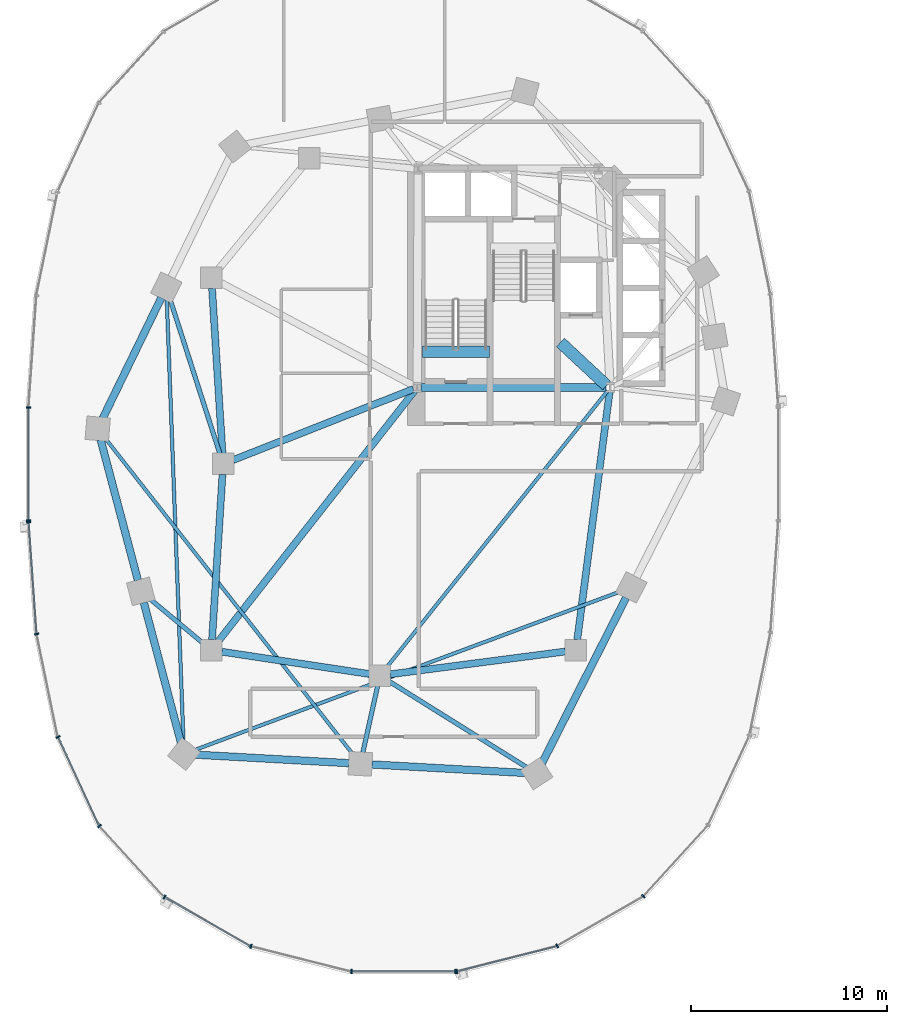
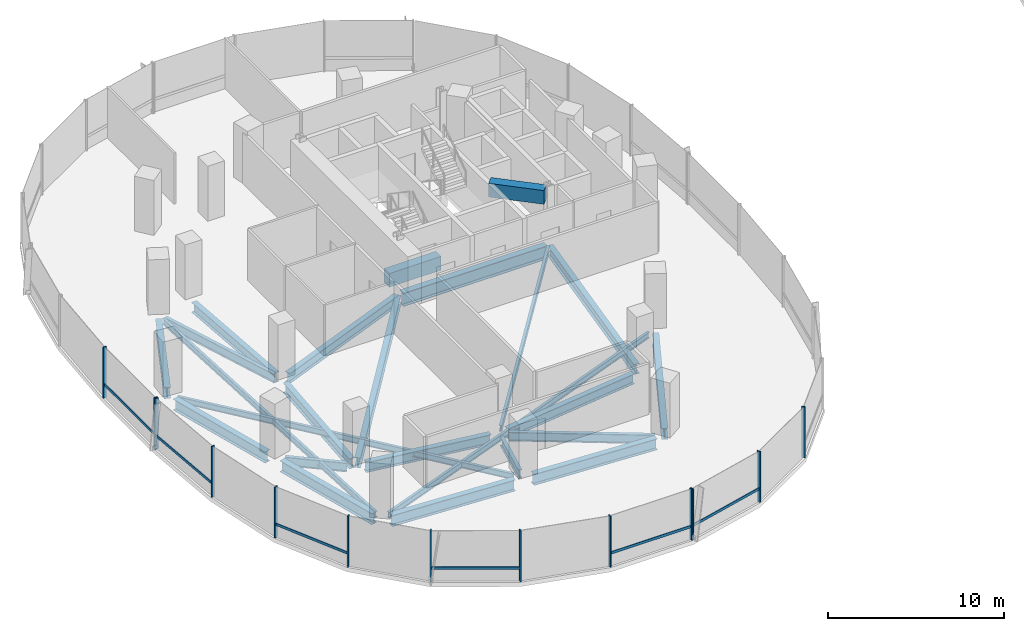
# One storey, part 2 of 21: 24 beams, 19 members, 3 elements without a shape of their own.
"""IFC4 building model written with IfcOpenShell, lengths in metres."""

from ifc_helpers import new_model, si_unit, direction, frame, origin, origin_2d, place, context, subcontext, project, spatial, rectangle, i_section, extrude, material, material_profile, profile_set, type_object, element, aggregate, save


model = new_model("IFC4")

# Units and contexts
model_context = context("Model", 3, precision=1e-05, world=origin(), true_north=direction((0.0, 1.0)))
body_context = subcontext(model_context, "Body", "Model", "MODEL_VIEW")
ifc_project = project(units=[si_unit("LENGTHUNIT", "METRE"), si_unit("AREAUNIT", "SQUARE_METRE"), si_unit("VOLUMEUNIT", "CUBIC_METRE"), si_unit("PLANEANGLEUNIT", "RADIAN"), si_unit("MASSUNIT", "GRAM", prefix="KILO"), si_unit("THERMODYNAMICTEMPERATUREUNIT", "KELVIN"), si_unit("POWERUNIT", "WATT")], contexts=[model_context])

# Site, building, storey
site_placement = place(None, origin())
site = spatial("IfcSite", under=ifc_project, at=site_placement, CompositionType="ELEMENT")
building_placement = place(site_placement, origin())
building = spatial("IfcBuilding", under=site, at=building_placement, Name="Cundina Bronze Exchange", CompositionType="ELEMENT")
storey_placement = place(building_placement, frame((0.0, 0.0, 73.39990234375)))
storey = spatial("IfcBuildingStorey", under=building, at=storey_placement, Name="L18", CompositionType="ELEMENT", Elevation=73.39990234375)

# Beams
ifc_material_1 = material(Name="Concrete C60/75", Category="concrete")
ifc_material_profile_1 = material_profile(ifc_material_1, rectangle(XDim=0.60009765625, YDim=0.949951171875, at=origin_2d()), Name="RC600X950", Category="concrete")
ifc_profile_set_1 = profile_set([ifc_material_profile_1], Name="Concrete C60/75")
beam_type_1 = type_object("IfcBeamType", Name="BM-COUP-RC950", PredefinedType="LINTEL", material=ifc_profile_set_1)
beam_1_placement = place(storey_placement, frame((-31.02001953125, 5.719970703125, -0.474853515625), z_axis=(1.0, 0.0, 0.0), x_axis=(0.0, 1.0, 0.0)))
element("IfcBeam", 1, at=beam_1_placement, inside=storey, type_object=beam_type_1, Name="L18 Stair W1 Landing Header Beam", PredefinedType="LINTEL", context=body_context, shape_type="SweptSolid", body=[
    extrude(rectangle(XDim=0.60009765625, YDim=0.949951171875, at=origin_2d()), origin(), (0.0, 0.0, 1.0), 3.39990234375),
])
beam_2_placement = place(storey_placement, frame((-23.989990234375, 6.199951171875, 3.045166015625), z_axis=(0.731490439815, -0.681851696822, 0.0), x_axis=(0.681851696822, 0.731490439815, 0.0)))
element("IfcBeam", 2, at=beam_2_placement, inside=storey, type_object=beam_type_1, Name="L18 W Core Shear Coupling Lintel Beam", PredefinedType="LINTEL", context=body_context, shape_type="SweptSolid", body=[
    extrude(rectangle(XDim=0.60009765625, YDim=0.949951171875, at=origin_2d()), origin(), (0.0, 0.0, 1.0), 3.226318359375),
])
ifc_material_2 = material(Name="Steel ASTM A992 Grade 50", Category="steel")
ifc_material_profile_2 = material_profile(ifc_material_2, i_section(OverallWidth=0.22998046875, OverallDepth=0.616943359375, WebThickness=0.01318359375, FlangeThickness=0.022216796875, FilletRadius=0.013916015625, at=origin_2d()), Name="W24X94", Category="steel")
ifc_profile_set_2 = profile_set([ifc_material_profile_2], Name="Steel ASTM A992 Grade 50")
beam_type_2 = type_object("IfcBeamType", Name="BM-FLR-W24B", PredefinedType="BEAM", material=ifc_profile_set_2)
beam_3_placement = place(storey_placement, frame((-41.364990234375, 0.51220703125, -0.6083984375), z_axis=(-0.306706454167, 0.951804155787, 0.0), x_axis=(-0.951804155787, -0.306706454167, 0.0)))
element("IfcBeam", 3, at=beam_3_placement, inside=storey, type_object=beam_type_2, Name="L18 Leg W Radial Floor Beam 07", PredefinedType="BEAM", context=body_context, shape_type="SweptSolid", body=[
    extrude(i_section(OverallWidth=0.22998046875, OverallDepth=0.616943359375, WebThickness=0.01318359375, FlangeThickness=0.022216796875, FilletRadius=0.013916015625, at=origin_2d()), origin(), (0.0, 0.0, 1.0), 8.329345703125),
])
beam_4_placement = place(storey_placement, frame((-42.21337890625, -9.155517578125, -0.6083984375), z_axis=(-0.768221279597, 0.640184399664, 0.0), x_axis=(-0.640184399664, -0.768221279597, 0.0)))
element("IfcBeam", 4, at=beam_4_placement, inside=storey, type_object=beam_type_2, Name="L18 Leg W Radial Floor Beam 09", PredefinedType="BEAM", context=body_context, shape_type="SweptSolid", body=[
    extrude(i_section(OverallWidth=0.22998046875, OverallDepth=0.616943359375, WebThickness=0.01318359375, FlangeThickness=0.022216796875, FilletRadius=0.013916015625, at=origin_2d()), origin(), (0.0, 0.0, 1.0), 3.56005859375),
])
beam_5_placement = place(storey_placement, frame((-33.316650390625, -11.3251953125, -0.6083984375), z_axis=(-0.216960137628, -0.976180464197, 0.0), x_axis=(0.976180464197, -0.216960137628, 0.0)))
element("IfcBeam", 5, at=beam_5_placement, inside=storey, type_object=beam_type_2, Name="L18 Leg W Radial Floor Beam 11", PredefinedType="BEAM", context=body_context, shape_type="SweptSolid", body=[
    extrude(i_section(OverallWidth=0.22998046875, OverallDepth=0.616943359375, WebThickness=0.01318359375, FlangeThickness=0.022216796875, FilletRadius=0.013916015625, at=origin_2d()), origin(), (0.0, 0.0, 1.0), 3.48388671875),
])
beam_6_placement = place(storey_placement, frame((-32.743896484375, -11.085205078125, -0.6083984375), z_axis=(0.848014812458, -0.529972525563, 0.0), x_axis=(0.529972525563, 0.848014812458, 0.0)))
element("IfcBeam", 6, at=beam_6_placement, inside=storey, type_object=beam_type_2, Name="L18 Leg W Radial Floor Beam 12", PredefinedType="BEAM", context=body_context, shape_type="SweptSolid", body=[
    extrude(i_section(OverallWidth=0.22998046875, OverallDepth=0.616943359375, WebThickness=0.01318359375, FlangeThickness=0.022216796875, FilletRadius=0.013916015625, at=origin_2d()), origin(), (0.0, 0.0, 1.0), 8.30810546875),
])
ifc_material_profile_3 = material_profile(ifc_material_2, i_section(OverallWidth=0.178955078125, OverallDepth=0.409912109375, WebThickness=0.0087890625, FlangeThickness=0.014404296875, FilletRadius=0.010986328125, at=origin_2d()), Name="W16X45", Category="steel")
ifc_profile_set_3 = profile_set([ifc_material_profile_3], Name="Steel ASTM A992 Grade 50")
beam_type_3 = type_object("IfcBeamType", Name="BM-JST-W16", PredefinedType="JOIST", material=ifc_profile_set_3)
beam_7_placement = place(storey_placement, frame((-21.577392578125, 3.740478515625, -0.5048828125), z_axis=(-0.62436887964, -0.781129632095, 0.0), x_axis=(0.781129632095, -0.62436887964, 0.0)))
element("IfcBeam", 7, at=beam_7_placement, inside=storey, type_object=beam_type_3, Name="L18 W Interior Core-to-Ring Joist 2", PredefinedType="JOIST", context=body_context, shape_type="SweptSolid", body=[
    extrude(i_section(OverallWidth=0.178955078125, OverallDepth=0.409912109375, WebThickness=0.0087890625, FlangeThickness=0.014404296875, FilletRadius=0.010986328125, at=origin_2d()), origin(), (0.0, 0.0, 1.0), 18.076904296875),
])
beam_8_placement = place(storey_placement, frame((-44.077880859375, 8.412353515625, -0.5048828125), z_axis=(0.037794949147, -0.999285515666, 0.0), x_axis=(0.999285515666, 0.037794949147, 0.0)))
element("IfcBeam", 8, at=beam_8_placement, inside=storey, type_object=beam_type_3, Name="L18 Leg W Lobe Floor Joist 07-10", PredefinedType="JOIST", context=body_context, shape_type="SweptSolid", body=[
    extrude(i_section(OverallWidth=0.178955078125, OverallDepth=0.409912109375, WebThickness=0.0087890625, FlangeThickness=0.014404296875, FilletRadius=0.010986328125, at=origin_2d()), origin(), (0.0, 0.0, 1.0), 22.640869140625),
])
beam_9_placement = place(storey_placement, frame((-47.2373046875, 1.337158203125, -0.5048828125), z_axis=(0.616803089524, -0.787117493614, 0.0), x_axis=(0.787117493614, 0.616803089524, 0.0)))
element("IfcBeam", 9, at=beam_9_placement, inside=storey, type_object=beam_type_3, Name="L18 Leg W Lobe Floor Joist 08-11", PredefinedType="JOIST", context=body_context, shape_type="SweptSolid", body=[
    extrude(i_section(OverallWidth=0.178955078125, OverallDepth=0.409912109375, WebThickness=0.0087890625, FlangeThickness=0.014404296875, FilletRadius=0.010986328125, at=origin_2d()), origin(), (0.0, 0.0, 1.0), 20.548828125),
])
beam_10_placement = place(storey_placement, frame((-42.64892578125, -14.5947265625, -0.5048828125), z_axis=(0.937127912449, 0.348986068074, 0.0), x_axis=(-0.348986068074, 0.937127912449, 0.0)))
element("IfcBeam", 10, at=beam_10_placement, inside=storey, type_object=beam_type_3, Name="L18 Leg W Lobe Floor Joist 10-13", PredefinedType="JOIST", context=body_context, shape_type="SweptSolid", body=[
    extrude(i_section(OverallWidth=0.178955078125, OverallDepth=0.409912109375, WebThickness=0.0087890625, FlangeThickness=0.014404296875, FilletRadius=0.010986328125, at=origin_2d()), origin(), (0.0, 0.0, 1.0), 23.18017578125),
])
ifc_material_profile_4 = material_profile(ifc_material_2, i_section(OverallWidth=0.35498046875, OverallDepth=0.695068359375, WebThickness=0.015380859375, FlangeThickness=0.02490234375, FilletRadius=0.01806640625, at=origin_2d()), Name="W27X146", Category="steel")
ifc_profile_set_4 = profile_set([ifc_material_profile_4], Name="Steel ASTM A992 Grade 50")
beam_type_4 = type_object("IfcBeamType", Name="BM-RING-W27", PredefinedType="USERDEFINED", material=ifc_profile_set_4)
for number, where, z_axis, x_axis, name in (
    (11, (-41.76611328125, 8.963134765625, -0.6474609375), (0.06303715519, -0.998011180832, 0.0), (0.998011180832, 0.06303715519, 0.0), "L18 W Inner Structural Ring Girder 03"),
    (12, (-41.23388671875, -0.536865234375, -0.6474609375), (-0.06303715519, -0.998011180832, 0.0), (0.998011180832, -0.06303715519, 0.0), "L18 W Inner Structural Ring Girder 04"),
):
    element("IfcBeam", number, at=place(storey_placement, frame(where, z_axis=z_axis, x_axis=x_axis)), inside=storey, type_object=beam_type_4, Name=name, ObjectType="GIRDER", PredefinedType="USERDEFINED", context=body_context, shape_type="SweptSolid", body=[
        extrude(i_section(OverallWidth=0.35498046875, OverallDepth=0.695068359375, WebThickness=0.015380859375, FlangeThickness=0.02490234375, FilletRadius=0.01806640625, at=origin_2d()), origin(), (0.0, 0.0, 1.0), 8.443115234375),
    ])
beam_11_placement = place(storey_placement, frame((-41.26806640625, -9.580322265625, -0.6474609375), z_axis=(0.988767489563, -0.149461873341, 0.0), x_axis=(0.149461873341, 0.988767489563, 0.0)))
element("IfcBeam", 13, at=beam_11_placement, inside=storey, type_object=beam_type_4, Name="L18 W Inner Structural Ring Girder 05", ObjectType="GIRDER", PredefinedType="USERDEFINED", context=body_context, shape_type="SweptSolid", body=[
    extrude(i_section(OverallWidth=0.35498046875, OverallDepth=0.695068359375, WebThickness=0.015380859375, FlangeThickness=0.02490234375, FilletRadius=0.01806640625, at=origin_2d()), origin(), (0.0, 0.0, 1.0), 7.621826171875),
])
beam_12_placement = place(storey_placement, frame((-32.66650390625, -10.730712890625, -0.6474609375), z_axis=(0.991654577907, 0.128923225666, 0.0), x_axis=(-0.128923225666, 0.991654577907, 0.0)))
element("IfcBeam", 14, at=beam_12_placement, inside=storey, type_object=beam_type_4, Name="L18 W Inner Structural Ring Girder 06", ObjectType="GIRDER", PredefinedType="USERDEFINED", context=body_context, shape_type="SweptSolid", body=[
    extrude(i_section(OverallWidth=0.35498046875, OverallDepth=0.695068359375, WebThickness=0.015380859375, FlangeThickness=0.02490234375, FilletRadius=0.01806640625, at=origin_2d()), origin(), (0.0, 0.0, 1.0), 9.00830078125),
])
beam_13_placement = place(storey_placement, frame((-23.13037109375, -8.966552734375, -0.6474609375), z_axis=(0.129507526533, 0.99157843894, 0.0), x_axis=(-0.99157843894, 0.129507526533, 0.0)))
element("IfcBeam", 15, at=beam_13_placement, inside=storey, type_object=beam_type_4, Name="L18 W Inner Structural Ring Girder 07", ObjectType="GIRDER", PredefinedType="USERDEFINED", context=body_context, shape_type="SweptSolid", body=[
    extrude(i_section(OverallWidth=0.35498046875, OverallDepth=0.695068359375, WebThickness=0.015380859375, FlangeThickness=0.02490234375, FilletRadius=0.01806640625, at=origin_2d()), origin(), (0.0, 0.0, 1.0), 12.77197265625),
])
beam_14_placement = place(storey_placement, frame((-31.48974609375, 3.8251953125, -0.6474609375), z_axis=(-0.930413235418, -0.366512225388, 0.0), x_axis=(0.366512225388, -0.930413235418, 0.0)))
element("IfcBeam", 16, at=beam_14_placement, inside=storey, type_object=beam_type_4, Name="L18 W Core-to-Waist Tie Beam 1", ObjectType="GIRDER", PredefinedType="USERDEFINED", context=body_context, shape_type="SweptSolid", body=[
    extrude(i_section(OverallWidth=0.35498046875, OverallDepth=0.695068359375, WebThickness=0.015380859375, FlangeThickness=0.02490234375, FilletRadius=0.01806640625, at=origin_2d()), origin(), (0.0, 0.0, 1.0), 9.8984375),
])
beam_15_placement = place(storey_placement, frame((-31.42578125, 3.739501953125, -0.6474609375), z_axis=(-0.616789275748, -0.787128318206, 0.0), x_axis=(0.787128318206, -0.616789275748, 0.0)))
element("IfcBeam", 17, at=beam_15_placement, inside=storey, type_object=beam_type_4, Name="L18 W Core-to-Waist Tie Beam 3", ObjectType="GIRDER", PredefinedType="USERDEFINED", context=body_context, shape_type="SweptSolid", body=[
    extrude(i_section(OverallWidth=0.35498046875, OverallDepth=0.695068359375, WebThickness=0.015380859375, FlangeThickness=0.02490234375, FilletRadius=0.01806640625, at=origin_2d()), origin(), (0.0, 0.0, 1.0), 16.281982421875),
])
ifc_material_profile_5 = material_profile(ifc_material_2, i_section(OverallWidth=0.381103515625, OverallDepth=0.77294921875, WebThickness=0.0166015625, FlangeThickness=0.027099609375, FilletRadius=0.01904296875, at=origin_2d()), Name="W30X173", Category="steel")
ifc_profile_set_5 = profile_set([ifc_material_profile_5], Name="Steel ASTM A992 Grade 50")
beam_type_5 = type_object("IfcBeamType", Name="BM-RING-W30", PredefinedType="USERDEFINED", material=ifc_profile_set_5)
beam_16_placement = place(storey_placement, frame((-44.357177734375, 8.47119140625, -0.6865234375), z_axis=(-0.437190698904, -0.899368830231, 0.0), x_axis=(0.899368830231, -0.437190698904, 0.0)))
element("IfcBeam", 18, at=beam_16_placement, inside=storey, type_object=beam_type_5, Name="L18 W Perimeter Ring Girder 07", ObjectType="GIRDER", PredefinedType="USERDEFINED", context=body_context, shape_type="SweptSolid", body=[
    extrude(i_section(OverallWidth=0.381103515625, OverallDepth=0.77294921875, WebThickness=0.0166015625, FlangeThickness=0.027099609375, FilletRadius=0.01904296875, at=origin_2d()), origin(), (0.0, 0.0, 1.0), 6.82958984375),
])
for number, where, z_axis, x_axis, name in (
    (19, (-47.44921875, 1.231689453125, -0.6865234375), (0.256177785604, -0.966629682021, 0.0), (0.966629682021, 0.256177785604, 0.0), "L18 W Perimeter Ring Girder 08"),
    (20, (-45.249267578125, -7.068359375, -0.6865234375), (0.256208567826, -0.966621523541, 0.0), (0.966621523541, 0.256208567826, 0.0), "L18 W Perimeter Ring Girder 09"),
):
    element("IfcBeam", number, at=place(storey_placement, frame(where, z_axis=z_axis, x_axis=x_axis)), inside=storey, type_object=beam_type_5, Name=name, ObjectType="GIRDER", PredefinedType="USERDEFINED", context=body_context, shape_type="SweptSolid", body=[
        extrude(i_section(OverallWidth=0.381103515625, OverallDepth=0.77294921875, WebThickness=0.0166015625, FlangeThickness=0.027099609375, FilletRadius=0.01904296875, at=origin_2d()), origin(), (0.0, 0.0, 1.0), 7.41064453125),
    ])
for number, where, z_axis, x_axis, name in (
    (21, (-42.61279296875, -14.83251953125, -0.6865234375), (0.998459969805, -0.055476920391, 0.0), (0.055476920391, 0.998459969805, 0.0), "L18 W Perimeter Ring Girder 10"),
    (22, (-33.61279296875, -15.33251953125, -0.6865234375), (0.998459969805, -0.055476920391, 0.0), (0.055476920391, 0.998459969805, 0.0), "L18 W Perimeter Ring Girder 11"),
):
    element("IfcBeam", number, at=place(storey_placement, frame(where, z_axis=z_axis, x_axis=x_axis)), inside=storey, type_object=beam_type_5, Name=name, ObjectType="GIRDER", PredefinedType="USERDEFINED", context=body_context, shape_type="SweptSolid", body=[
        extrude(i_section(OverallWidth=0.381103515625, OverallDepth=0.77294921875, WebThickness=0.0166015625, FlangeThickness=0.027099609375, FilletRadius=0.01904296875, at=origin_2d()), origin(), (0.0, 0.0, 1.0), 7.837646484375),
    ])
beam_17_placement = place(storey_placement, frame((-24.93359375, -15.275634765625, -0.6865234375), z_axis=(0.452819633606, 0.891602141889, 0.0), x_axis=(-0.891602141889, 0.452819633606, 0.0)))
element("IfcBeam", 23, at=beam_17_placement, inside=storey, type_object=beam_type_5, Name="L18 W Perimeter Ring Girder 12", ObjectType="GIRDER", PredefinedType="USERDEFINED", context=body_context, shape_type="SweptSolid", body=[
    extrude(i_section(OverallWidth=0.381103515625, OverallDepth=0.77294921875, WebThickness=0.0166015625, FlangeThickness=0.027099609375, FilletRadius=0.01904296875, at=origin_2d()), origin(), (0.0, 0.0, 1.0), 9.47900390625),
])
ifc_material_profile_6 = material_profile(ifc_material_2, i_section(OverallWidth=0.41796875, OverallDepth=0.927001953125, WebThickness=0.019287109375, FlangeThickness=0.031982421875, FilletRadius=0.02392578125, at=origin_2d()), Name="W36X231", Category="steel")
ifc_profile_set_6 = profile_set([ifc_material_profile_6], Name="Steel ASTM A992 Grade 50")
beam_type_6 = type_object("IfcBeamType", Name="BM-WRN-W36B", PredefinedType="USERDEFINED", material=ifc_profile_set_6)
beam_18_placement = place(storey_placement, frame((-31.095947265625, 3.89990234375, -0.763427734375), z_axis=(1.0, 0.0, 0.0), x_axis=(0.0, 1.0, 0.0)))
element("IfcBeam", 24, at=beam_18_placement, inside=storey, type_object=beam_type_6, Name="L18 W Core Perimeter Tie Girder 1", ObjectType="GIRDER", PredefinedType="USERDEFINED", context=body_context, shape_type="SweptSolid", body=[
    extrude(i_section(OverallWidth=0.41796875, OverallDepth=0.927001953125, WebThickness=0.019287109375, FlangeThickness=0.031982421875, FilletRadius=0.02392578125, at=origin_2d()), origin(), (0.0, 0.0, 1.0), 9.44189453125),
])

# Curtain wall, members
ifc_material_3 = material(Name="Anodised Bronze Aluminium 6063-T6", Category="aluminium")
curtain_wall_type = type_object("IfcCurtainWallType", Name="CWS-TRD-LOW", PredefinedType="NOTDEFINED", material=ifc_material_3)
curtain_wall_1_placement = place(storey_placement, origin())
curtain_wall_1 = element("IfcCurtainWall", 25, at=curtain_wall_1_placement, inside=storey, type_object=curtain_wall_type, Name="L18 CW-02 Curtain Wall Run CWR-L18-W2", PredefinedType="NOTDEFINED")
ifc_material_profile_7 = material_profile(ifc_material_3, rectangle(XDim=0.074951171875, YDim=0.219970703125, at=origin_2d()), Name="AL75X220", Category="aluminium")
ifc_profile_set_7 = profile_set([ifc_material_profile_7], Name="Anodised Bronze Aluminium 6063-T6")
member_type_1 = type_object("IfcMemberType", Name="CWM-MUL-220", PredefinedType="MULLION", material=ifc_profile_set_7)
member_1_placement = place(storey_placement, frame((-51.1279296875, 2.880615234375, 0.0), z_axis=(0.0, 0.0, 1.0), x_axis=(0.0, -1.0, 0.0)))
member_1 = element("IfcMember", 26, at=member_1_placement, type_object=member_type_1, Name="CW-02 Mullion 7", PredefinedType="MULLION", context=body_context, shape_type="SweptSolid", body=[
    extrude(rectangle(XDim=0.074951171875, YDim=0.219970703125, at=origin_2d()), origin(), (0.0, 0.0, 1.0), 3.52001953125),
])
member_2_placement = place(storey_placement, frame((-51.1279296875, -2.880615234375, 0.0), z_axis=(0.0, 0.0, 1.0), x_axis=(0.0, -1.0, 0.0)))
member_2 = element("IfcMember", 27, at=member_2_placement, type_object=member_type_1, Name="CW-02 End Mullion", PredefinedType="MULLION", context=body_context, shape_type="SweptSolid", body=[
    extrude(rectangle(XDim=0.074951171875, YDim=0.219970703125, at=origin_2d()), origin(), (0.0, 0.0, 1.0), 3.52001953125),
])

curtain_wall_2_placement = place(storey_placement, origin())
curtain_wall_2 = element("IfcCurtainWall", 28, at=curtain_wall_2_placement, inside=storey, type_object=curtain_wall_type, Name="L18 CW-02 Curtain Wall Run CWR-L18-W3", PredefinedType="NOTDEFINED")
member_3_placement = place(storey_placement, frame((-51.12451171875, -2.976318359375, 0.0), z_axis=(0.0, 0.0, 1.0), x_axis=(0.070278787473, -0.997527389113, 0.0)))
member_3 = element("IfcMember", 29, at=member_3_placement, type_object=member_type_1, Name="CW-02 Mullion 1", PredefinedType="MULLION", context=body_context, shape_type="SweptSolid", body=[
    extrude(rectangle(XDim=0.074951171875, YDim=0.219970703125, at=origin_2d()), origin(), (0.0, 0.0, 1.0), 3.52001953125),
])
member_4_placement = place(storey_placement, frame((-50.717041015625, -8.67822265625, 0.0), z_axis=(0.0, 0.0, 1.0), x_axis=(0.201419845156, -0.979505000486, 0.0)))
member_4 = element("IfcMember", 30, at=member_4_placement, type_object=member_type_1, Name="CW-02 Mullion 2", PredefinedType="MULLION", context=body_context, shape_type="SweptSolid", body=[
    extrude(rectangle(XDim=0.074951171875, YDim=0.219970703125, at=origin_2d()), origin(), (0.0, 0.0, 1.0), 3.52001953125),
])
member_5_placement = place(storey_placement, frame((-49.6279296875, -13.931884765625, 0.0), z_axis=(0.0, 0.0, 1.0), x_axis=(0.42087749791, -0.907117485088, 0.0)))
member_5 = element("IfcMember", 31, at=member_5_placement, type_object=member_type_1, Name="CW-02 Mullion 3", PredefinedType="MULLION", context=body_context, shape_type="SweptSolid", body=[
    extrude(rectangle(XDim=0.074951171875, YDim=0.219970703125, at=origin_2d()), origin(), (0.0, 0.0, 1.0), 3.52001953125),
])
member_6_placement = place(storey_placement, frame((-47.508544921875, -18.47705078125, 0.0), z_axis=(0.0, 0.0, 1.0), x_axis=(0.674302387584, -0.738455340626, 0.0)))
member_6 = element("IfcMember", 32, at=member_6_placement, type_object=member_type_1, Name="CW-02 Mullion 4", PredefinedType="MULLION", context=body_context, shape_type="SweptSolid", body=[
    extrude(rectangle(XDim=0.074951171875, YDim=0.219970703125, at=origin_2d()), origin(), (0.0, 0.0, 1.0), 3.52001953125),
])
member_7_placement = place(storey_placement, frame((-44.189697265625, -22.097412109375, 0.0), z_axis=(0.0, 0.0, 1.0), x_axis=(0.867070701164, -0.498185105339, 0.0)))
member_7 = element("IfcMember", 33, at=member_7_placement, type_object=member_type_1, Name="CW-02 Mullion 5", PredefinedType="MULLION", context=body_context, shape_type="SweptSolid", body=[
    extrude(rectangle(XDim=0.074951171875, YDim=0.219970703125, at=origin_2d()), origin(), (0.0, 0.0, 1.0), 3.52001953125),
])
member_8_placement = place(storey_placement, frame((-39.78515625, -24.61669921875, 0.0), z_axis=(0.0, 0.0, 1.0), x_axis=(0.969488149345, -0.245138182011, 0.0)))
member_8 = element("IfcMember", 34, at=member_8_placement, type_object=member_type_1, Name="CW-02 Mullion 6", PredefinedType="MULLION", context=body_context, shape_type="SweptSolid", body=[
    extrude(rectangle(XDim=0.074951171875, YDim=0.219970703125, at=origin_2d()), origin(), (0.0, 0.0, 1.0), 3.52001953125),
])
member_9_placement = place(storey_placement, frame((-34.654541015625, -25.905029296875, 0.0), z_axis=(0.0, 0.0, 1.0), x_axis=(1.0, 0.0, 0.0)))
member_9 = element("IfcMember", 35, at=member_9_placement, type_object=member_type_1, Name="CW-02 Mullion 7", PredefinedType="MULLION", context=body_context, shape_type="SweptSolid", body=[
    extrude(rectangle(XDim=0.074951171875, YDim=0.219970703125, at=origin_2d()), origin(), (0.0, 0.0, 1.0), 3.52001953125),
])
member_10_placement = place(storey_placement, frame((-29.345458984375, -25.905029296875, 0.0), z_axis=(0.0, 0.0, 1.0), x_axis=(1.0, 0.0, 0.0)))
member_10 = element("IfcMember", 36, at=member_10_placement, type_object=member_type_1, Name="CW-02 End Mullion", PredefinedType="MULLION", context=body_context, shape_type="SweptSolid", body=[
    extrude(rectangle(XDim=0.074951171875, YDim=0.219970703125, at=origin_2d()), origin(), (0.0, 0.0, 1.0), 3.52001953125),
])

curtain_wall_3_placement = place(storey_placement, origin())
curtain_wall_3 = element("IfcCurtainWall", 37, at=curtain_wall_3_placement, inside=storey, type_object=curtain_wall_type, Name="L18 CW-02 Curtain Wall Run CWR-L18-W4", PredefinedType="NOTDEFINED")
member_11_placement = place(storey_placement, frame((-29.27392578125, -25.89599609375, 0.0), z_axis=(0.0, 0.0, 1.0), x_axis=(0.969488149345, 0.245138182011, 0.0)))
member_11 = element("IfcMember", 38, at=member_11_placement, type_object=member_type_1, Name="CW-02 Mullion 1", PredefinedType="MULLION", context=body_context, shape_type="SweptSolid", body=[
    extrude(rectangle(XDim=0.074951171875, YDim=0.219970703125, at=origin_2d()), origin(), (0.0, 0.0, 1.0), 3.52001953125),
])
member_12_placement = place(storey_placement, frame((-24.151123046875, -24.591064453125, 0.0), z_axis=(0.0, 0.0, 1.0), x_axis=(0.867070701164, 0.498185105339, 0.0)))
member_12 = element("IfcMember", 39, at=member_12_placement, type_object=member_type_1, Name="CW-02 Mullion 2", PredefinedType="MULLION", context=body_context, shape_type="SweptSolid", body=[
    extrude(rectangle(XDim=0.074951171875, YDim=0.219970703125, at=origin_2d()), origin(), (0.0, 0.0, 1.0), 3.52001953125),
])
member_13_placement = place(storey_placement, frame((-19.760498046875, -22.0576171875, 0.0), z_axis=(0.0, 0.0, 1.0), x_axis=(0.674302387584, 0.738455340626, 0.0)))
member_13 = element("IfcMember", 40, at=member_13_placement, type_object=member_type_1, Name="CW-02 Mullion 3", PredefinedType="MULLION", context=body_context, shape_type="SweptSolid", body=[
    extrude(rectangle(XDim=0.074951171875, YDim=0.219970703125, at=origin_2d()), origin(), (0.0, 0.0, 1.0), 3.52001953125),
])

# Member
ifc_material_profile_8 = material_profile(ifc_material_3, rectangle(XDim=0.070068359375, YDim=0.179931640625, at=origin_2d()), Name="AL70X180", Category="aluminium")
ifc_profile_set_8 = profile_set([ifc_material_profile_8], Name="Anodised Bronze Aluminium 6063-T6")
member_type_2 = type_object("IfcMemberType", Name="CWM-TRN-180", PredefinedType="USERDEFINED", material=ifc_profile_set_8)
member_14_placement = place(storey_placement, frame((-51.1279296875, 2.839111328125, 0.920166015625), z_axis=(0.0, -1.0, 0.0), x_axis=(1.0, 0.0, 0.0)))
member_14 = element("IfcMember", 41, at=member_14_placement, type_object=member_type_2, Name="CW-02 Spandrel Transom 7", ObjectType="TRANSOM", PredefinedType="USERDEFINED", context=body_context, shape_type="SweptSolid", body=[
    extrude(rectangle(XDim=0.070068359375, YDim=0.179931640625, at=origin_2d()), origin(), (0.0, 0.0, 1.0), 5.67822265625),
])

aggregate(curtain_wall_1, [member_1, member_2, member_14])

member_15_placement = place(storey_placement, frame((-51.12158203125, -3.017333984375, 0.920166015625), z_axis=(0.070260714471, -0.997528662246, 0.0), x_axis=(0.997528662246, 0.070260714471, 0.0)))
member_15 = element("IfcMember", 42, at=member_15_placement, type_object=member_type_2, Name="CW-02 Spandrel Transom 1", ObjectType="TRANSOM", PredefinedType="USERDEFINED", context=body_context, shape_type="SweptSolid", body=[
    extrude(rectangle(XDim=0.070068359375, YDim=0.179931640625, at=origin_2d()), origin(), (0.0, 0.0, 1.0), 5.629150390625),
])

member_16_placement = place(storey_placement, frame((-49.610595703125, -13.96923828125, 0.920166015625), z_axis=(0.420811422796, -0.907148139195, 0.0), x_axis=(0.907148139195, 0.420811422796, 0.0)))
member_16 = element("IfcMember", 43, at=member_16_placement, type_object=member_type_2, Name="CW-02 Spandrel Transom 3", ObjectType="TRANSOM", PredefinedType="USERDEFINED", context=body_context, shape_type="SweptSolid", body=[
    extrude(rectangle(XDim=0.070068359375, YDim=0.179931640625, at=origin_2d()), origin(), (0.0, 0.0, 1.0), 4.95166015625),
])

member_17_placement = place(storey_placement, frame((-44.154052734375, -22.117919921875, 0.920166015625), z_axis=(0.867097475651, -0.498138502546, 0.0), x_axis=(0.498138502546, 0.867097475651, 0.0)))
member_17 = element("IfcMember", 44, at=member_17_placement, type_object=member_type_2, Name="CW-02 Spandrel Transom 5", ObjectType="TRANSOM", PredefinedType="USERDEFINED", context=body_context, shape_type="SweptSolid", body=[
    extrude(rectangle(XDim=0.070068359375, YDim=0.179931640625, at=origin_2d()), origin(), (0.0, 0.0, 1.0), 5.00634765625),
])

member_18_placement = place(storey_placement, frame((-34.61328125, -25.905029296875, 0.920166015625), z_axis=(1.0, 0.0, 0.0), x_axis=(0.0, 1.0, 0.0)))
member_18 = element("IfcMember", 45, at=member_18_placement, type_object=member_type_2, Name="CW-02 Spandrel Transom 7", ObjectType="TRANSOM", PredefinedType="USERDEFINED", context=body_context, shape_type="SweptSolid", body=[
    extrude(rectangle(XDim=0.070068359375, YDim=0.179931640625, at=origin_2d()), origin(), (0.0, 0.0, 1.0), 5.2265625),
])

aggregate(curtain_wall_2, [member_3, member_15, member_4, member_5, member_16, member_6, member_7, member_17, member_8, member_9, member_10, member_18])

member_19_placement = place(storey_placement, frame((-29.23388671875, -25.885986328125, 0.920166015625), z_axis=(0.969483968866, 0.245154714644, 0.0), x_axis=(-0.245154714644, 0.969483968866, 0.0)))
member_19 = element("IfcMember", 46, at=member_19_placement, type_object=member_type_2, Name="CW-02 Spandrel Transom 1", ObjectType="TRANSOM", PredefinedType="USERDEFINED", context=body_context, shape_type="SweptSolid", body=[
    extrude(rectangle(XDim=0.070068359375, YDim=0.179931640625, at=origin_2d()), origin(), (0.0, 0.0, 1.0), 5.21826171875),
])

aggregate(curtain_wall_3, [member_11, member_19, member_12, member_13])

save(model, "model.ifc")
